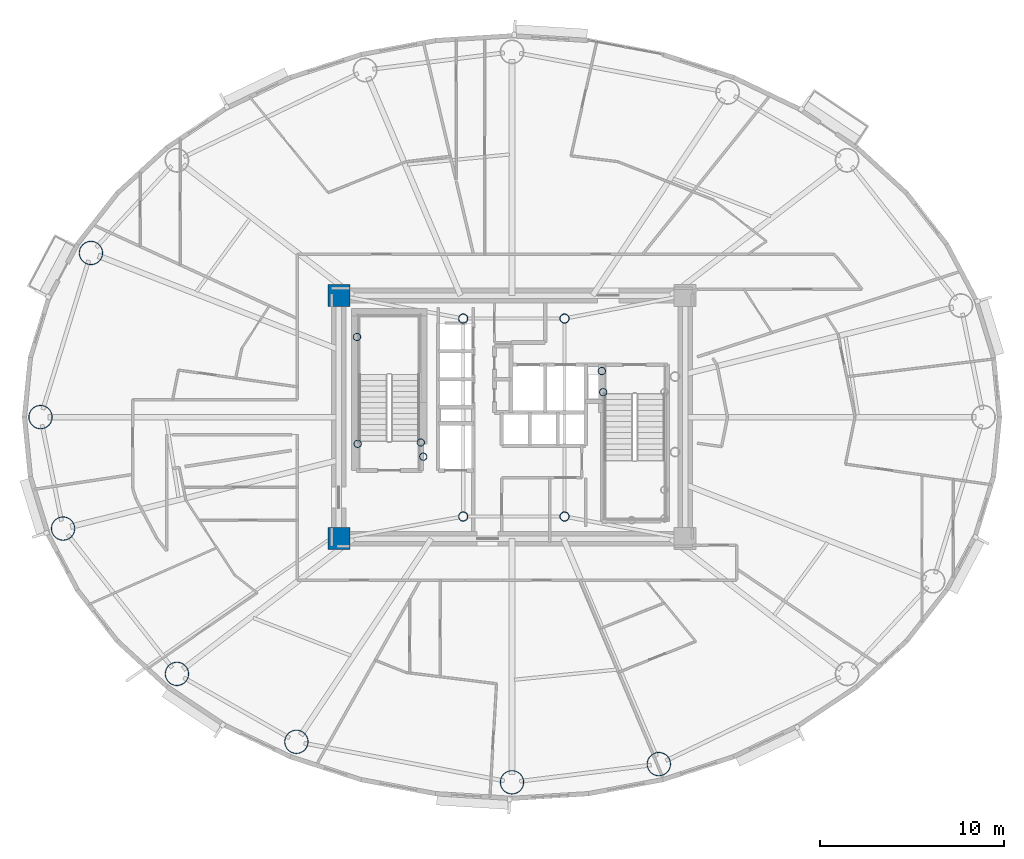
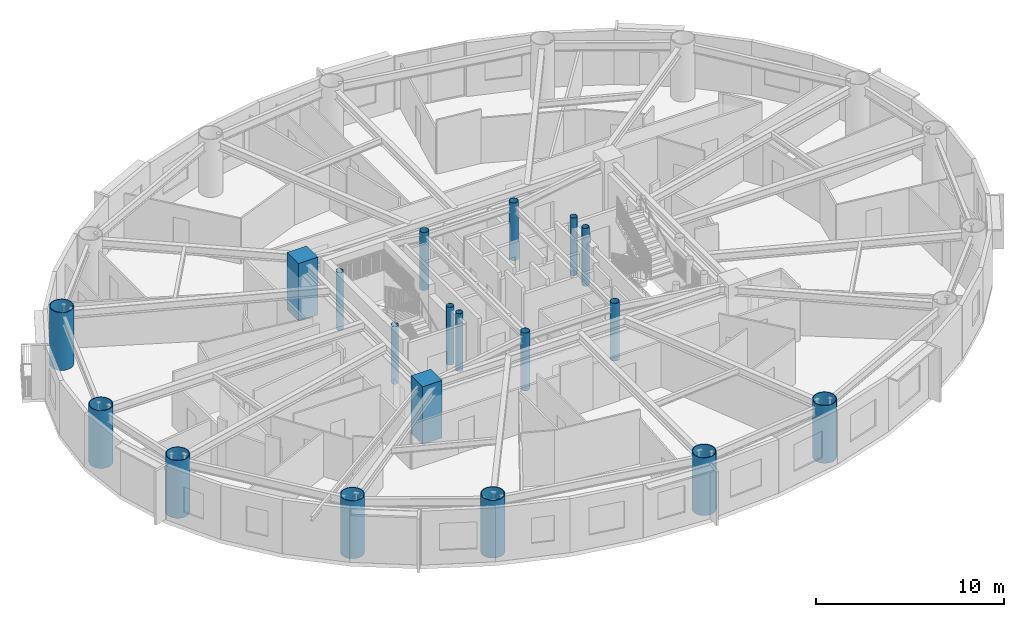
# One storey, part 1 of 20: 19 columns.
"""IFC4 building model written with IfcOpenShell, lengths in metres."""

from ifc_helpers import new_model, si_unit, direction, frame, origin, origin_2d, place, context, subcontext, project, spatial, rectangle, hollow_circle, extrude, material, material_profile, profile_set, type_object, element, save


model = new_model("IFC4")

# Units and contexts
model_context = context("Model", 3, precision=1e-05, world=origin(), true_north=direction((0.0, 1.0)))
body_context = subcontext(model_context, "Body", "Model", "MODEL_VIEW")
ifc_project = project(units=[si_unit("LENGTHUNIT", "METRE"), si_unit("AREAUNIT", "SQUARE_METRE"), si_unit("VOLUMEUNIT", "CUBIC_METRE"), si_unit("PLANEANGLEUNIT", "RADIAN"), si_unit("MASSUNIT", "GRAM", prefix="KILO")], contexts=[model_context])

# Site, building, storey
site_placement = place(None, origin())
site = spatial("IfcSite", under=ifc_project, at=site_placement, CompositionType="ELEMENT")
building_placement = place(site_placement, origin())
building = spatial("IfcBuilding", under=site, at=building_placement, Name="Linh Dai School and Residence Tower", CompositionType="ELEMENT")
storey_placement = place(building_placement, frame((0.0, 0.0, 163.64990234375)))
storey = spatial("IfcBuildingStorey", under=building, at=storey_placement, Name="L39", CompositionType="ELEMENT", Elevation=163.64990234375)

# Columns
ifc_material_1 = material(Name="Concrete B60 (C50/60)", Category="concrete")
ifc_material_profile_1 = material_profile(ifc_material_1, rectangle(XDim=1.199951171875, YDim=1.199951171875, at=origin_2d()), Name="RC 1200x1200")
ifc_profile_set_1 = profile_set([ifc_material_profile_1], Name="Concrete B60 (C50/60)")
column_type_1 = type_object("IfcColumnType", Name="COL-CC2", PredefinedType="COLUMN", material=ifc_profile_set_1)
for number, where, z_axis, x_axis, name in (
    (1, (26.60009765625, 20.39990234375, 0.0), (0.0, 0.0, 1.0), (1.0, 0.0, 0.0), "L39 Core Corner Pier CC1"),
    (2, (26.60009765625, 33.60009765625, 0.0), (0.0, 0.0, 1.0), (1.0, 0.0, 0.0), "L39 Core Corner Pier CC4"),
):
    element("IfcColumn", number, at=place(storey_placement, frame(where, z_axis=z_axis, x_axis=x_axis)), inside=storey, type_object=column_type_1, Name=name, PredefinedType="COLUMN", context=body_context, shape_type="SweptSolid", body=[
        extrude(rectangle(XDim=1.199951171875, YDim=1.199951171875, at=origin_2d()), origin(), (0.0, 0.0, 1.0), 3.75),
    ])
ifc_material_2 = material(Name="Structural Steel S355JR", Category="steel")
ifc_material_profile_2 = material_profile(ifc_material_2, hollow_circle(Radius=0.203125, WallThickness=0.01611328125, at=origin_2d()), Name="CHS 406.4x16")
ifc_profile_set_2 = profile_set([ifc_material_profile_2], Name="Structural Steel S355JR")
column_type_2 = type_object("IfcColumnType", Name="COL-EC", PredefinedType="COLUMN", material=ifc_profile_set_2)
for number, where, z_axis, x_axis, name in (
    (3, (27.580078125, 31.35009765625, 0.0), (0.0, 0.0, 1.0), (1.0, 0.0, 0.0), "L39 Stair Shaft Landing Support Pier ST1NW"),
    (4, (31.050048828125, 25.6201171875, 0.0), (0.0, 0.0, 1.0), (1.0, 0.0, 0.0), "L39 Stair Shaft Landing Support Pier ST1SE"),
    (5, (31.179931640625, 24.85009765625, 0.0), (0.0, 0.0, 1.0), (1.0, 0.0, 0.0), "L39 Stair Shaft Landing Support Pier ST1SM"),
    (6, (27.6201171875, 25.550048828125, 0.0), (0.0, 0.0, 1.0), (1.0, 0.0, 0.0), "L39 Stair Shaft Landing Support Pier ST1SW"),
    (7, (40.949951171875, 28.35009765625, 0.0), (0.0, 0.0, 1.0), (1.0, 0.0, 0.0), "L39 Stair Shaft Landing Support Pier ST2N1"),
    (8, (40.8798828125, 29.5, 0.0), (0.0, 0.0, 1.0), (1.0, 0.0, 0.0), "L39 Stair Shaft Landing Support Pier ST2N3"),
):
    element("IfcColumn", number, at=place(storey_placement, frame(where, z_axis=z_axis, x_axis=x_axis)), inside=storey, type_object=column_type_2, Name=name, PredefinedType="COLUMN", context=body_context, shape_type="SweptSolid", body=[
        extrude(hollow_circle(Radius=0.203125, WallThickness=0.01611328125, at=origin_2d()), origin(), (0.0, 0.0, 1.0), 3.75),
    ])
ifc_material_profile_3 = material_profile(ifc_material_2, hollow_circle(Radius=0.64990234375, WallThickness=0.0400390625, at=origin_2d()), Name="CHS 1300x40")
ifc_profile_set_3 = profile_set([ifc_material_profile_3], Name="Structural Steel S355JR")
column_type_3 = type_object("IfcColumnType", Name="COL-MC4", PredefinedType="COLUMN", material=ifc_profile_set_3)
for number, where, z_axis, x_axis, name in (
    (9, (13.137451171875, 35.9111328125, 0.0), (0.0, 0.0, 1.0), (1.0, 0.0, 0.0), "L39 Perimeter CFT Mega-Column MC08"),
    (10, (10.39990234375, 27.0, 0.0), (0.0, 0.0, 1.0), (1.0, 0.0, 0.0), "L39 Perimeter CFT Mega-Column MC09"),
    (11, (11.62548828125, 20.946533203125, 0.0), (0.0, 0.0, 1.0), (1.0, 0.0, 0.0), "L39 Perimeter CFT Mega-Column MC10"),
    (12, (17.8076171875, 13.058349609375, 0.0), (0.0, 0.0, 1.0), (1.0, 0.0, 0.0), "L39 Perimeter CFT Mega-Column MC11"),
    (13, (24.29443359375, 9.369140625, 0.0), (0.0, 0.0, 1.0), (1.0, 0.0, 0.0), "L39 Perimeter CFT Mega-Column MC12"),
    (14, (36.0, 7.169921875, 0.0), (0.0, 0.0, 1.0), (1.0, 0.0, 0.0), "L39 Perimeter CFT Mega-Column MC13"),
    (15, (43.973388671875, 8.15869140625, 0.0), (0.0, 0.0, 1.0), (1.0, 0.0, 0.0), "L39 Perimeter CFT Mega-Column MC14"),
):
    element("IfcColumn", number, at=place(storey_placement, frame(where, z_axis=z_axis, x_axis=x_axis)), inside=storey, type_object=column_type_3, Name=name, PredefinedType="COLUMN", context=body_context, shape_type="SweptSolid", body=[
        extrude(hollow_circle(Radius=0.64990234375, WallThickness=0.0400390625, at=origin_2d()), origin(), (0.0, 0.0, 1.0), 3.75),
    ])
ifc_material_profile_4 = material_profile(ifc_material_2, hollow_circle(Radius=0.25390625, WallThickness=0.02001953125, at=origin_2d()), Name="CHS 508x20")
ifc_profile_set_4 = profile_set([ifc_material_profile_4], Name="Structural Steel S355JR")
column_type_4 = type_object("IfcColumnType", Name="COL-MCP", PredefinedType="COLUMN", material=ifc_profile_set_4)
for number, where, z_axis, x_axis, name in (
    (16, (33.35009765625, 21.60009765625, 0.0), (0.0, 0.0, 1.0), (1.0, 0.0, 0.0), "L39 Core Mast Support Pier MCP1"),
    (17, (38.85009765625, 21.60009765625, 0.0), (0.0, 0.0, 1.0), (1.0, 0.0, 0.0), "L39 Core Mast Support Pier MCP2"),
    (18, (38.85009765625, 32.35009765625, 0.0), (0.0, 0.0, 1.0), (1.0, 0.0, 0.0), "L39 Core Mast Support Pier MCP3"),
    (19, (33.35009765625, 32.35009765625, 0.0), (0.0, 0.0, 1.0), (1.0, 0.0, 0.0), "L39 Core Mast Support Pier MCP4"),
):
    element("IfcColumn", number, at=place(storey_placement, frame(where, z_axis=z_axis, x_axis=x_axis)), inside=storey, type_object=column_type_4, Name=name, PredefinedType="COLUMN", context=body_context, shape_type="SweptSolid", body=[
        extrude(hollow_circle(Radius=0.25390625, WallThickness=0.02001953125, at=origin_2d()), origin(), (0.0, 0.0, 1.0), 3.75),
    ])

save(model, "model.ifc")
